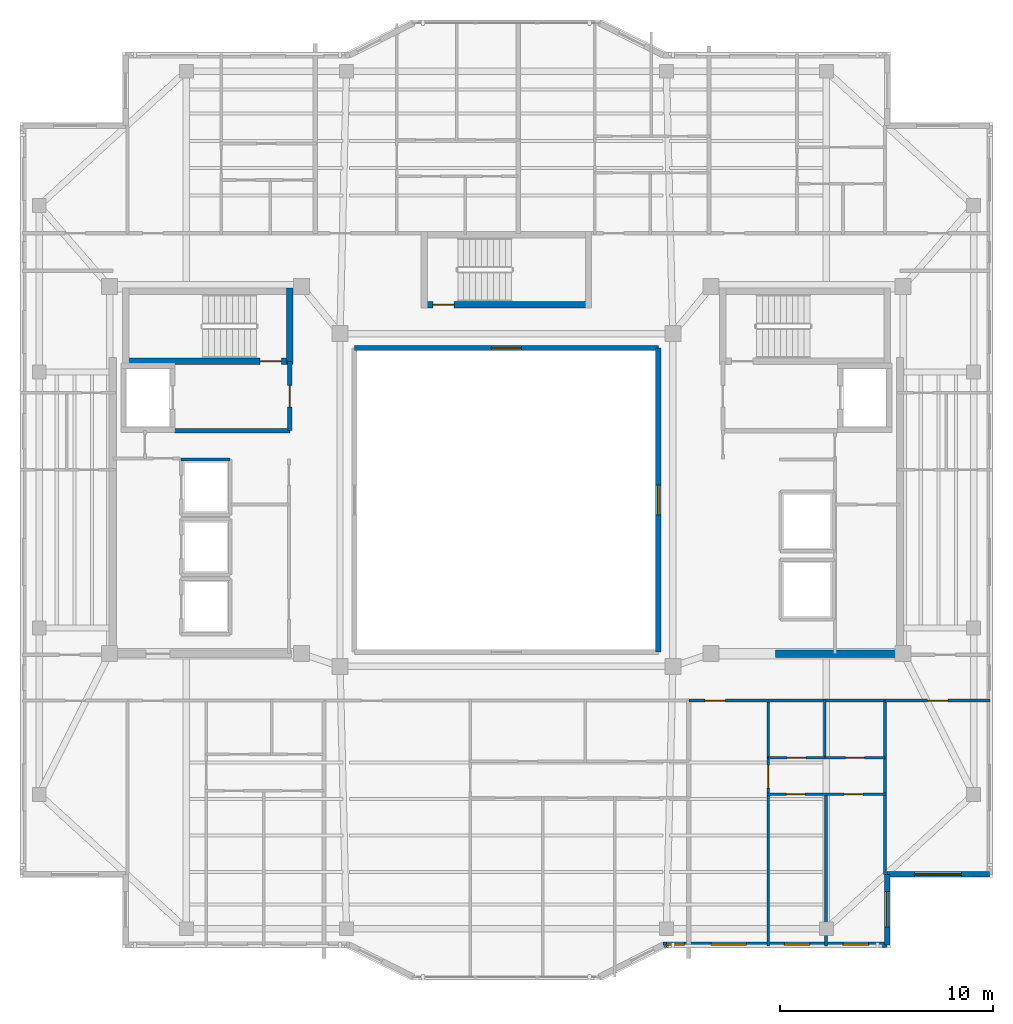
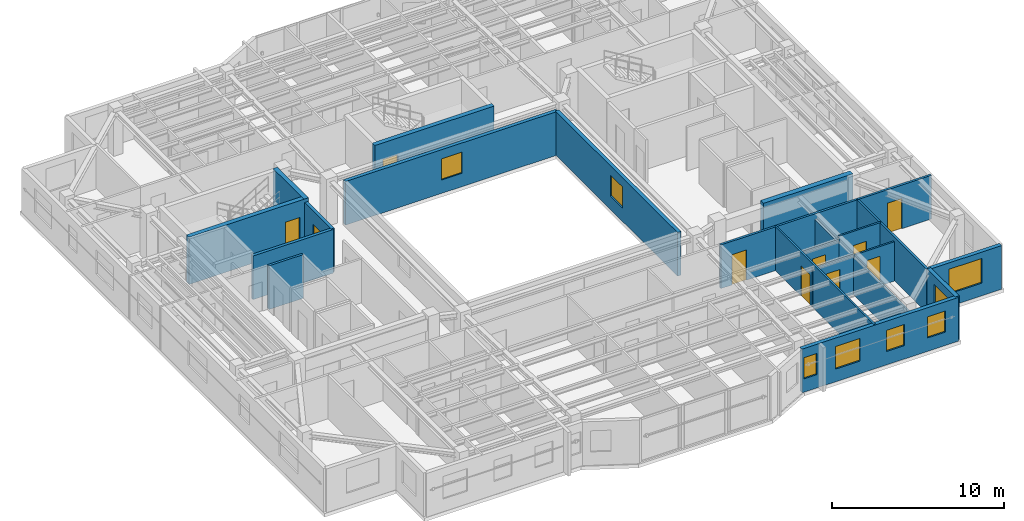
# One storey, part 8 of 15: 21 walls, 10 doors, 8 windows, 18 openings.
"""IFC4 building model written with IfcOpenShell, lengths in metres."""

from ifc_helpers import new_model, si_unit, direction, frame, frame_2d, origin, place, context, subcontext, project, spatial, rectangle, extrude, material, layer, layer_set, type_object, element, fill, save


model = new_model("IFC4")

# Units and contexts
model_context = context("Model", 3, precision=1e-05, world=origin(), true_north=direction((0.0, 1.0)))
body_context = subcontext(model_context, "Body", "Model", "MODEL_VIEW")
ifc_project = project(units=[si_unit("LENGTHUNIT", "METRE"), si_unit("AREAUNIT", "SQUARE_METRE"), si_unit("VOLUMEUNIT", "CUBIC_METRE"), si_unit("PLANEANGLEUNIT", "RADIAN"), si_unit("MASSUNIT", "GRAM", prefix="KILO")], contexts=[model_context])

# Site, building, storey
site_placement = place(None, origin())
site = spatial("IfcSite", under=ifc_project, at=site_placement, CompositionType="ELEMENT")
building_placement = place(site_placement, origin())
building = spatial("IfcBuilding", under=site, at=building_placement, Name="Tarnavaz Court Tower", CompositionType="ELEMENT")
storey_placement = place(building_placement, frame((0.0, 0.0, 244.85009765625)))
storey = spatial("IfcBuildingStorey", under=building, at=storey_placement, Name="L66", CompositionType="ELEMENT", Elevation=244.85009765625)

# Wall, opening, door
ifc_material_1 = material(Name="Concrete C50/60", Category="concrete")
ifc_layer_1 = layer(ifc_material_1, 0.300048828125)
ifc_layer_set_1 = layer_set([ifc_layer_1], Name="Concrete C50/60")
wall_type_1 = type_object("IfcWallType", Name="WL-CORE-300-C50", PredefinedType="SHEAR", material=ifc_layer_set_1)
wall_1_placement = place(storey_placement, frame((-18.0, 6.5, 0.0), z_axis=(0.0, 0.0, 1.0), x_axis=(1.0, 0.0, 0.0)))
wall_1 = element("IfcWall", 1, at=wall_1_placement, inside=storey, type_object=wall_type_1, Name="L66 West Stair Core Wall 002", PredefinedType="SHEAR", context=body_context, shape_type="SweptSolid", body=[
    extrude(rectangle(XDim=8.0, YDim=0.300048828125, at=frame_2d((4.0, 0.0))), origin(), (0.0, 0.0, 1.0), 3.349853515625),
])
opening_1_placement = place(wall_1_placement, frame((6.449951171875, 0.0, 0.0)))
opening_1 = element("IfcOpeningElement", 2, at=opening_1_placement, cuts=wall_1, Name="Opening D01", PredefinedType="OPENING", context=body_context, shape_type="SweptSolid", body=[
    extrude(rectangle(XDim=1.0, YDim=2.14990234375, at=frame_2d((0.5, 1.074951171875))), frame((0.0, 0.159912109375, 0.0), z_axis=(0.0, -1.0, 0.0), x_axis=(1.0, 0.0, 0.0)), (0.0, 0.0, 1.0), 0.320068359375),
])
ifc_material_2 = material(Name="Fire-Rated Hardwood Timber Core", Category="wood")
door_type_1 = type_object("IfcDoorType", Name="DR-FD90-1000", OperationType="NOTDEFINED", PredefinedType="DOOR", material=ifc_material_2)
door_1_placement = place(opening_1_placement, origin())
door_1 = element("IfcDoor", 3, at=door_1_placement, inside=storey, type_object=door_type_1, Name="L66 Stair ST-W1 Exit Door", OperationType="SINGLE_SWING_LEFT", OverallHeight=2.14990234375, OverallWidth=1.0, PredefinedType="DOOR", context=body_context, shape_type="SweptSolid", body=[
    extrude(rectangle(XDim=1.0, YDim=2.14990234375, at=frame_2d((0.5, 1.074951171875))), frame((0.0, 0.02490234375, 0.0), z_axis=(0.0, -1.0, 0.0), x_axis=(1.0, 0.0, 0.0)), (0.0, 0.0, 1.0), 0.050048828125),
])
fill(opening_1, door_1)

# Wall
wall_2_placement = place(storey_placement, frame((-10.14990234375, 6.35009765625, 0.0), z_axis=(0.0, 0.0, 1.0), x_axis=(0.0, 1.0, 0.0)))
element("IfcWall", 4, at=wall_2_placement, inside=storey, type_object=wall_type_1, Name="L66 West Stair Core Wall 004", PredefinedType="SHEAR", context=body_context, shape_type="SweptSolid", body=[
    extrude(rectangle(XDim=3.58984375, YDim=0.300048828125, at=frame_2d((1.794921875, 0.0))), origin(), (0.0, 0.0, 1.0), 3.349853515625),
])

# Wall, opening, door
wall_3_placement = place(storey_placement, frame((-4.0, 9.14990234375, 0.0), z_axis=(0.0, 0.0, 1.0), x_axis=(1.0, 0.0, 0.0)))
wall_3 = element("IfcWall", 5, at=wall_3_placement, inside=storey, type_object=wall_type_1, Name="L66 North Stair Core Wall 010", PredefinedType="SHEAR", context=body_context, shape_type="SweptSolid", body=[
    extrude(rectangle(XDim=8.0, YDim=0.300048828125, at=frame_2d((4.0, 0.0))), origin(), (0.0, 0.0, 1.0), 3.349853515625),
])
opening_2_placement = place(wall_3_placement, frame((0.550048828125, 0.0, 0.0)))
opening_2 = element("IfcOpeningElement", 6, at=opening_2_placement, cuts=wall_3, Name="Opening D01", PredefinedType="OPENING", context=body_context, shape_type="SweptSolid", body=[
    extrude(rectangle(XDim=1.0, YDim=2.14990234375, at=frame_2d((0.5, 1.074951171875))), frame((0.0, 0.159912109375, 0.0), z_axis=(0.0, -1.0, 0.0), x_axis=(1.0, 0.0, 0.0)), (0.0, 0.0, 1.0), 0.320068359375),
])
door_2_placement = place(opening_2_placement, origin())
door_2 = element("IfcDoor", 7, at=door_2_placement, inside=storey, type_object=door_type_1, Name="L66 Stair ST-N1 Exit Door", OperationType="SINGLE_SWING_LEFT", OverallHeight=2.14990234375, OverallWidth=1.0, PredefinedType="DOOR", context=body_context, shape_type="SweptSolid", body=[
    extrude(rectangle(XDim=1.0, YDim=2.14990234375, at=frame_2d((0.5, 1.074951171875))), frame((0.0, 0.02490234375, 0.0), z_axis=(0.0, -1.0, 0.0), x_axis=(1.0, 0.0, 0.0)), (0.0, 0.0, 1.0), 0.050048828125),
])
fill(opening_2, door_2)

# Wall
ifc_layer_2 = layer(ifc_material_1, 0.35009765625)
ifc_layer_set_2 = layer_set([ifc_layer_2], Name="Concrete C50/60")
wall_type_2 = type_object("IfcWallType", Name="WL-CORE-350-C50", PredefinedType="SHEAR", material=ifc_layer_set_2)
wall_4_placement = place(storey_placement, frame((12.625, -7.199951171875, 0.0), z_axis=(0.0, 0.0, 1.0), x_axis=(1.0, 0.0, 0.0)))
element("IfcWall", 8, at=wall_4_placement, inside=storey, type_object=wall_type_2, Name="L66 East Core South Shear Wall 048", PredefinedType="SHEAR", context=body_context, shape_type="SweptSolid", body=[
    extrude(rectangle(XDim=6.0, YDim=0.35009765625, at=frame_2d((3.0, 0.0))), origin(), (0.0, 0.0, 1.0), 3.349853515625),
])

# Wall, opening, window
ifc_material_3 = material(Name="Precast Concrete C40/50", Category="concrete")
ifc_layer_3 = layer(ifc_material_3, 0.260009765625)
ifc_layer_set_3 = layer_set([ifc_layer_3], Name="Precast Concrete C40/50")
wall_type_3 = type_object("IfcWallType", Name="WL-EXT-260", PredefinedType="SOLIDWALL", material=ifc_layer_set_3)
wall_5_placement = place(storey_placement, frame((22.64990234375, -17.550048828125, 0.0), z_axis=(0.0, 0.0, 1.0), x_axis=(-1.0, 0.0, 0.0)))
wall_5 = element("IfcWall", 9, at=wall_5_placement, inside=storey, type_object=wall_type_3, Name="L66 Exterior Terracotta Facade Wall 13", PredefinedType="SOLIDWALL", context=body_context, shape_type="SweptSolid", body=[
    extrude(rectangle(XDim=4.7998046875, YDim=0.260009765625, at=frame_2d((2.39990234375, 0.0))), origin(), (0.0, 0.0, 1.0), 3.099853515625),
])
opening_3_placement = place(wall_5_placement, frame((1.3251953125, 0.0, 0.89990234375)))
opening_3 = element("IfcOpeningElement", 10, at=opening_3_placement, cuts=wall_5, Name="Opening W07", PredefinedType="OPENING", context=body_context, shape_type="SweptSolid", body=[
    extrude(rectangle(XDim=2.199951171875, YDim=1.75, at=frame_2d((1.10009765625, 0.875))), frame((0.0, 0.139892578125, 0.0), z_axis=(0.0, -1.0, 0.0), x_axis=(1.0, 0.0, 0.0)), (0.0, 0.0, 1.0), 0.280029296875),
])
ifc_material_4 = material(Name="Double-Glazed Solar Low-E Glass", Category="glass")
window_type_1 = type_object("IfcWindowType", Name="WN-APT-2200", PartitioningType="TRIPLE_PANEL_VERTICAL", PredefinedType="WINDOW", material=ifc_material_4)
window_1_placement = place(opening_3_placement, origin())
window_1 = element("IfcWindow", 11, at=window_1_placement, inside=storey, type_object=window_type_1, Name="L66 South-East Corner Reading Room Window", OverallHeight=1.75, OverallWidth=2.199951171875, PartitioningType="SINGLE_PANEL", PredefinedType="WINDOW", context=body_context, shape_type="SweptSolid", body=[
    extrude(rectangle(XDim=2.199951171875, YDim=1.75, at=frame_2d((1.10009765625, 0.875))), frame((0.0, 0.030029296875, 0.0), z_axis=(0.0, -1.0, 0.0), x_axis=(1.0, 0.0, 0.0)), (0.0, 0.0, 1.0), 0.06005859375),
])
fill(opening_3, window_1)

wall_6_placement = place(storey_placement, frame((17.85009765625, -17.550048828125, 0.0), z_axis=(0.0, 0.0, 1.0), x_axis=(0.0, -1.0, 0.0)))
wall_6 = element("IfcWall", 12, at=wall_6_placement, inside=storey, type_object=wall_type_3, Name="L66 Exterior Terracotta Facade Wall 14", PredefinedType="SOLIDWALL", context=body_context, shape_type="SweptSolid", body=[
    extrude(rectangle(XDim=3.300048828125, YDim=0.260009765625, at=frame_2d((1.64990234375, 0.0))), origin(), (0.0, 0.0, 1.0), 3.099853515625),
])
opening_4_placement = place(wall_6_placement, frame((0.8076171875, 0.0, 0.89990234375)))
opening_4 = element("IfcOpeningElement", 13, at=opening_4_placement, cuts=wall_6, Name="Opening W02", PredefinedType="OPENING", context=body_context, shape_type="SweptSolid", body=[
    extrude(rectangle(XDim=1.64990234375, YDim=1.60009765625, at=frame_2d((0.824951171875, 0.800048828125))), frame((0.0, 0.139892578125, 0.0), z_axis=(0.0, -1.0, 0.0), x_axis=(1.0, 0.0, 0.0)), (0.0, 0.0, 1.0), 0.280029296875),
])
window_type_2 = type_object("IfcWindowType", Name="WN-APT-1650", PartitioningType="DOUBLE_PANEL_VERTICAL", PredefinedType="WINDOW", material=ifc_material_4)
window_2_placement = place(opening_4_placement, origin())
window_2 = element("IfcWindow", 14, at=window_2_placement, inside=storey, type_object=window_type_2, Name="L66 Flat 06 Bedroom 2 Window", OverallHeight=1.60009765625, OverallWidth=1.64990234375, PartitioningType="SINGLE_PANEL", PredefinedType="WINDOW", context=body_context, shape_type="SweptSolid", body=[
    extrude(rectangle(XDim=1.64990234375, YDim=1.60009765625, at=frame_2d((0.824951171875, 0.800048828125))), frame((0.0, 0.030029296875, 0.0), z_axis=(0.0, -1.0, 0.0), x_axis=(1.0, 0.0, 0.0)), (0.0, 0.0, 1.0), 0.06005859375),
])
fill(opening_4, window_2)

# Wall, openings, windows
wall_7_placement = place(storey_placement, frame((17.85009765625, -20.85009765625, 0.0), z_axis=(0.0, 0.0, 1.0), x_axis=(-1.0, 0.0, 0.0)))
wall_7 = element("IfcWall", 15, at=wall_7_placement, inside=storey, type_object=wall_type_3, Name="L66 Exterior Terracotta Facade Wall 15", PredefinedType="SOLIDWALL", context=body_context, shape_type="SweptSolid", body=[
    extrude(rectangle(XDim=10.5, YDim=0.260009765625, at=frame_2d((5.25, 0.0))), origin(), (0.0, 0.0, 1.0), 3.099853515625),
])
opening_5_placement = place(wall_7_placement, frame((0.875, 0.0, 0.949951171875)))
opening_5 = element("IfcOpeningElement", 16, at=opening_5_placement, cuts=wall_7, Name="Opening W05", PredefinedType="OPENING", context=body_context, shape_type="SweptSolid", body=[
    extrude(rectangle(XDim=1.199951171875, YDim=1.5, at=frame_2d((0.60009765625, 0.75))), frame((0.0, 0.139892578125, 0.0), z_axis=(0.0, -1.0, 0.0), x_axis=(1.0, 0.0, 0.0)), (0.0, 0.0, 1.0), 0.280029296875),
])
opening_6_placement = place(wall_7_placement, frame((3.625, 0.0, 0.949951171875)))
opening_6 = element("IfcOpeningElement", 17, at=opening_6_placement, cuts=wall_7, Name="Opening W05", PredefinedType="OPENING", context=body_context, shape_type="SweptSolid", body=[
    extrude(rectangle(XDim=1.199951171875, YDim=1.5, at=frame_2d((0.60009765625, 0.75))), frame((0.0, 0.139892578125, 0.0), z_axis=(0.0, -1.0, 0.0), x_axis=(1.0, 0.0, 0.0)), (0.0, 0.0, 1.0), 0.280029296875),
])
opening_7_placement = place(wall_7_placement, frame((6.60009765625, 0.0, 0.89990234375)))
opening_7 = element("IfcOpeningElement", 18, at=opening_7_placement, cuts=wall_7, Name="Opening W02", PredefinedType="OPENING", context=body_context, shape_type="SweptSolid", body=[
    extrude(rectangle(XDim=1.64990234375, YDim=1.60009765625, at=frame_2d((0.824951171875, 0.800048828125))), frame((0.0, 0.139892578125, 0.0), z_axis=(0.0, -1.0, 0.0), x_axis=(1.0, 0.0, 0.0)), (0.0, 0.0, 1.0), 0.280029296875),
])
opening_8_placement = place(wall_7_placement, frame((9.5048828125, 0.0, 0.949951171875)))
opening_8 = element("IfcOpeningElement", 19, at=opening_8_placement, cuts=wall_7, Name="Opening W15", PredefinedType="OPENING", context=body_context, shape_type="SweptSolid", body=[
    extrude(rectangle(XDim=0.85009765625, YDim=1.5, at=frame_2d((0.425048828125, 0.75))), frame((0.0, 0.139892578125, 0.0), z_axis=(0.0, -1.0, 0.0), x_axis=(1.0, 0.0, 0.0)), (0.0, 0.0, 1.0), 0.280029296875),
])
window_type_3 = type_object("IfcWindowType", Name="WN-APT-1200", PartitioningType="SINGLE_PANEL", PredefinedType="WINDOW", material=ifc_material_4)
window_3_placement = place(opening_5_placement, origin())
window_3 = element("IfcWindow", 20, at=window_3_placement, inside=storey, type_object=window_type_3, Name="L66 Flat 06 Bedroom 2 Window", OverallHeight=1.5, OverallWidth=1.199951171875, PartitioningType="SINGLE_PANEL", PredefinedType="WINDOW", context=body_context, shape_type="SweptSolid", body=[
    extrude(rectangle(XDim=1.199951171875, YDim=1.5, at=frame_2d((0.60009765625, 0.75))), frame((0.0, 0.030029296875, 0.0), z_axis=(0.0, -1.0, 0.0), x_axis=(1.0, 0.0, 0.0)), (0.0, 0.0, 1.0), 0.06005859375),
])
fill(opening_5, window_3)
window_4_placement = place(opening_6_placement, origin())
window_4 = element("IfcWindow", 21, at=window_4_placement, inside=storey, type_object=window_type_3, Name="L66 Flat 06 Principal Bedroom Window", OverallHeight=1.5, OverallWidth=1.199951171875, PartitioningType="SINGLE_PANEL", PredefinedType="WINDOW", context=body_context, shape_type="SweptSolid", body=[
    extrude(rectangle(XDim=1.199951171875, YDim=1.5, at=frame_2d((0.60009765625, 0.75))), frame((0.0, 0.030029296875, 0.0), z_axis=(0.0, -1.0, 0.0), x_axis=(1.0, 0.0, 0.0)), (0.0, 0.0, 1.0), 0.06005859375),
])
fill(opening_6, window_4)
window_5_placement = place(opening_7_placement, origin())
window_5 = element("IfcWindow", 22, at=window_5_placement, inside=storey, type_object=window_type_2, Name="L66 Flat 06 Living and Dining Room Window", OverallHeight=1.60009765625, OverallWidth=1.64990234375, PartitioningType="SINGLE_PANEL", PredefinedType="WINDOW", context=body_context, shape_type="SweptSolid", body=[
    extrude(rectangle(XDim=1.64990234375, YDim=1.60009765625, at=frame_2d((0.824951171875, 0.800048828125))), frame((0.0, 0.030029296875, 0.0), z_axis=(0.0, -1.0, 0.0), x_axis=(1.0, 0.0, 0.0)), (0.0, 0.0, 1.0), 0.06005859375),
])
fill(opening_7, window_5)
window_type_4 = type_object("IfcWindowType", Name="WN-APT-850", PartitioningType="SINGLE_PANEL", PredefinedType="WINDOW", material=ifc_material_4)
window_6_placement = place(opening_8_placement, origin())
window_6 = element("IfcWindow", 23, at=window_6_placement, inside=storey, type_object=window_type_4, Name="L66 Flat 07 Bedroom 3 Window", OverallHeight=1.5, OverallWidth=0.85009765625, PartitioningType="SINGLE_PANEL", PredefinedType="WINDOW", context=body_context, shape_type="SweptSolid", body=[
    extrude(rectangle(XDim=0.85009765625, YDim=1.5, at=frame_2d((0.425048828125, 0.75))), frame((0.0, 0.030029296875, 0.0), z_axis=(0.0, -1.0, 0.0), x_axis=(1.0, 0.0, 0.0)), (0.0, 0.0, 1.0), 0.06005859375),
])
fill(opening_8, window_6)

# Wall, opening, door
ifc_material_5 = material(Name="Gypsum Fire-Board on Acoustic Metal Stud", Category="masonry")
ifc_layer_4 = layer(ifc_material_5, 0.14990234375)
ifc_layer_set_4 = layer_set([ifc_layer_4], Name="Gypsum Fire-Board on Acoustic Metal Stud")
wall_type_4 = type_object("IfcWallType", Name="WL-FIRE-150", PredefinedType="PARTITIONING", material=ifc_layer_set_4)
wall_8_placement = place(storey_placement, frame((8.550048828125, -9.39990234375, 0.0), z_axis=(0.0, 0.0, 1.0), x_axis=(1.0, 0.0, 0.0)))
wall_8 = element("IfcWall", 24, at=wall_8_placement, inside=storey, type_object=wall_type_4, Name="L66 SE Lobby Wall 060", PredefinedType="PARTITIONING", context=body_context, shape_type="SweptSolid", body=[
    extrude(rectangle(XDim=9.199951171875, YDim=0.14990234375, at=frame_2d((4.60009765625, 0.0))), origin(), (0.0, 0.0, 1.0), 3.099853515625),
])
opening_9_placement = place(wall_8_placement, frame((0.75, 0.0, 0.0)))
opening_9 = element("IfcOpeningElement", 25, at=opening_9_placement, cuts=wall_8, Name="Opening D06", PredefinedType="OPENING", context=body_context, shape_type="SweptSolid", body=[
    extrude(rectangle(XDim=0.9599609375, YDim=2.14990234375, at=frame_2d((0.47998046875, 1.074951171875))), frame((0.0, 0.0849609375, 0.0), z_axis=(0.0, -1.0, 0.0), x_axis=(1.0, 0.0, 0.0)), (0.0, 0.0, 1.0), 0.169921875),
])
door_type_2 = type_object("IfcDoorType", Name="DR-FD60-950", OperationType="NOTDEFINED", PredefinedType="DOOR", material=ifc_material_2)
door_3_placement = place(opening_9_placement, origin())
door_3 = element("IfcDoor", 26, at=door_3_placement, inside=storey, type_object=door_type_2, Name="L66 Flat 06 Entrance Door", OperationType="SINGLE_SWING_LEFT", OverallHeight=2.14990234375, OverallWidth=0.9599609375, PredefinedType="DOOR", context=body_context, shape_type="SweptSolid", body=[
    extrude(rectangle(XDim=0.9599609375, YDim=2.14990234375, at=frame_2d((0.47998046875, 1.074951171875))), frame((0.0, 0.02490234375, 0.0), z_axis=(0.0, -1.0, 0.0), x_axis=(1.0, 0.0, 0.0)), (0.0, 0.0, 1.0), 0.050048828125),
])
fill(opening_9, door_3)

wall_9_placement = place(storey_placement, frame((17.75, -9.39990234375, 0.0), z_axis=(0.0, 0.0, 1.0), x_axis=(1.0, 0.0, 0.0)))
wall_9 = element("IfcWall", 27, at=wall_9_placement, inside=storey, type_object=wall_type_4, Name="L66 Interior Partition 119", PredefinedType="PARTITIONING", context=body_context, shape_type="SweptSolid", body=[
    extrude(rectangle(XDim=4.929931640625, YDim=0.14990234375, at=frame_2d((2.46484375, 0.0))), origin(), (0.0, 0.0, 1.0), 3.099853515625),
])
opening_10_placement = place(wall_9_placement, frame((1.989990234375, 0.0, 0.0)))
opening_10 = element("IfcOpeningElement", 28, at=opening_10_placement, cuts=wall_9, Name="Opening D13", PredefinedType="OPENING", context=body_context, shape_type="SweptSolid", body=[
    extrude(rectangle(XDim=0.949951171875, YDim=2.14990234375, at=frame_2d((0.47509765625, 1.074951171875))), frame((0.0, 0.0849609375, 0.0), z_axis=(0.0, -1.0, 0.0), x_axis=(1.0, 0.0, 0.0)), (0.0, 0.0, 1.0), 0.169921875),
])
ifc_material_6 = material(Name="Engineered Oak Timber", Category="wood")
door_type_3 = type_object("IfcDoorType", Name="DR-INT-950", OperationType="NOTDEFINED", PredefinedType="DOOR", material=ifc_material_6)
door_4_placement = place(opening_10_placement, origin())
door_4 = element("IfcDoor", 29, at=door_4_placement, inside=storey, type_object=door_type_3, Name="L66 SE Reading Room Door", OperationType="SINGLE_SWING_LEFT", OverallHeight=2.14990234375, OverallWidth=0.949951171875, PredefinedType="DOOR", context=body_context, shape_type="SweptSolid", body=[
    extrude(rectangle(XDim=0.949951171875, YDim=2.14990234375, at=frame_2d((0.47509765625, 1.074951171875))), frame((0.0, 0.02490234375, 0.0), z_axis=(0.0, -1.0, 0.0), x_axis=(1.0, 0.0, 0.0)), (0.0, 0.0, 1.0), 0.050048828125),
])
fill(opening_10, door_4)

# Wall
ifc_material_7 = material(Name="Autoclaved Aerated Concrete Blockwork", Category="masonry")
ifc_layer_5 = layer(ifc_material_7, 0.199951171875)
ifc_layer_set_5 = layer_set([ifc_layer_5], Name="Autoclaved Aerated Concrete Blockwork")
wall_type_5 = type_object("IfcWallType", Name="WL-FIRE-200", PredefinedType="SOLIDWALL", material=ifc_layer_set_5)
wall_10_placement = place(storey_placement, frame((-15.550048828125, 3.25, 0.0), z_axis=(0.0, 0.0, 1.0), x_axis=(1.0, 0.0, 0.0)))
element("IfcWall", 30, at=wall_10_placement, inside=storey, type_object=wall_type_5, Name="L66 West Firefighting Lobby Wall 013", PredefinedType="SOLIDWALL", context=body_context, shape_type="SweptSolid", body=[
    extrude(rectangle(XDim=5.400146484375, YDim=0.199951171875, at=frame_2d((2.7001953125, 0.0))), origin(), (0.0, 0.0, 1.0), 3.099853515625),
])

# Wall, opening, door
wall_11_placement = place(storey_placement, frame((-10.14990234375, 3.25, 0.0), z_axis=(0.0, 0.0, 1.0), x_axis=(0.0, 1.0, 0.0)))
wall_11 = element("IfcWall", 31, at=wall_11_placement, inside=storey, type_object=wall_type_5, Name="L66 West Firefighting Lobby Wall 014", PredefinedType="SOLIDWALL", context=body_context, shape_type="SweptSolid", body=[
    extrude(rectangle(XDim=3.25, YDim=0.199951171875, at=frame_2d((1.625, 0.0))), origin(), (0.0, 0.0, 1.0), 3.099853515625),
])
opening_11_placement = place(wall_11_placement, frame((1.10009765625, 0.0, 0.0)))
opening_11 = element("IfcOpeningElement", 32, at=opening_11_placement, cuts=wall_11, Name="Opening D05", PredefinedType="OPENING", context=body_context, shape_type="SweptSolid", body=[
    extrude(rectangle(XDim=1.02001953125, YDim=2.14990234375, at=frame_2d((0.510009765625, 1.074951171875))), frame((0.0, 0.10986328125, 0.0), z_axis=(0.0, -1.0, 0.0), x_axis=(1.0, 0.0, 0.0)), (0.0, 0.0, 1.0), 0.219970703125),
])
door_type_4 = type_object("IfcDoorType", Name="DR-FD60-1000", OperationType="NOTDEFINED", PredefinedType="DOOR", material=ifc_material_2)
door_5_placement = place(opening_11_placement, origin())
door_5 = element("IfcDoor", 33, at=door_5_placement, inside=storey, type_object=door_type_4, Name="L66 West Firefighting Lobby Door", OperationType="SINGLE_SWING_RIGHT", OverallHeight=2.14990234375, OverallWidth=1.02001953125, PredefinedType="DOOR", context=body_context, shape_type="SweptSolid", body=[
    extrude(rectangle(XDim=1.02001953125, YDim=2.14990234375, at=frame_2d((0.510009765625, 1.074951171875))), frame((0.0, 0.02490234375, 0.0), z_axis=(0.0, -1.0, 0.0), x_axis=(1.0, 0.0, 0.0)), (0.0, 0.0, 1.0), 0.050048828125),
])
fill(opening_11, door_5)

ifc_material_8 = material(Name="Moisture-Resistant Gypsum Board Partition", Category="masonry")
ifc_layer_6 = layer(ifc_material_8, 0.1201171875)
ifc_layer_set_6 = layer_set([ifc_layer_6], Name="Moisture-Resistant Gypsum Board Partition")
wall_type_6 = type_object("IfcWallType", Name="WL-PART-120", PredefinedType="PARTITIONING", material=ifc_layer_set_6)
wall_12_placement = place(storey_placement, frame((12.27197265625, -20.89990234375, 0.0), z_axis=(0.0, 0.0, 1.0), x_axis=(0.0, 1.0, 0.0)))
wall_12 = element("IfcWall", 34, at=wall_12_placement, inside=storey, type_object=wall_type_6, Name="L66 Interior Partition 092", PredefinedType="PARTITIONING", context=body_context, shape_type="SweptSolid", body=[
    extrude(rectangle(XDim=11.559814453125, YDim=0.1201171875, at=frame_2d((5.77978515625, 0.0))), origin(), (0.0, 0.0, 1.0), 3.099853515625),
])
opening_12_placement = place(wall_12_placement, frame((7.39501953125, 0.0, 0.0)))
opening_12 = element("IfcOpeningElement", 35, at=opening_12_placement, cuts=wall_12, Name="Opening D12", PredefinedType="OPENING", context=body_context, shape_type="SweptSolid", body=[
    extrude(rectangle(XDim=1.080078125, YDim=2.14990234375, at=frame_2d((0.5400390625, 1.074951171875))), frame((0.0, 0.070068359375, 0.0), z_axis=(0.0, -1.0, 0.0), x_axis=(1.0, 0.0, 0.0)), (0.0, 0.0, 1.0), 0.14013671875),
])
door_type_5 = type_object("IfcDoorType", Name="DR-INT-1100", OperationType="NOTDEFINED", PredefinedType="DOOR", material=ifc_material_6)
door_6_placement = place(opening_12_placement, origin())
door_6 = element("IfcDoor", 36, at=door_6_placement, inside=storey, type_object=door_type_5, Name="L66 Flat 06 Foyer Door", OperationType="SINGLE_SWING_RIGHT", OverallHeight=2.14990234375, OverallWidth=1.080078125, PredefinedType="DOOR", context=body_context, shape_type="SweptSolid", body=[
    extrude(rectangle(XDim=1.080078125, YDim=2.14990234375, at=frame_2d((0.5400390625, 1.074951171875))), frame((0.0, 0.02490234375, 0.0), z_axis=(0.0, -1.0, 0.0), x_axis=(1.0, 0.0, 0.0)), (0.0, 0.0, 1.0), 0.050048828125),
])
fill(opening_12, door_6)

wall_13_placement = place(storey_placement, frame((12.27197265625, -12.080078125, 0.0), z_axis=(0.0, 0.0, 1.0), x_axis=(1.0, 0.0, 0.0)))
wall_13 = element("IfcWall", 37, at=wall_13_placement, inside=storey, type_object=wall_type_6, Name="L66 Interior Partition 093", PredefinedType="PARTITIONING", context=body_context, shape_type="SweptSolid", body=[
    extrude(rectangle(XDim=2.655029296875, YDim=0.1201171875, at=frame_2d((1.32763671875, 0.0))), origin(), (0.0, 0.0, 1.0), 2.784912109375),
])
opening_13_placement = place(wall_13_placement, frame((0.886962890625, 0.0, 0.0)))
opening_13 = element("IfcOpeningElement", 38, at=opening_13_placement, cuts=wall_13, Name="Opening D14", PredefinedType="OPENING", context=body_context, shape_type="SweptSolid", body=[
    extrude(rectangle(XDim=0.8798828125, YDim=2.10009765625, at=frame_2d((0.43994140625, 1.050048828125))), frame((0.0, 0.070068359375, 0.0), z_axis=(0.0, -1.0, 0.0), x_axis=(1.0, 0.0, 0.0)), (0.0, 0.0, 1.0), 0.14013671875),
])
door_type_6 = type_object("IfcDoorType", Name="DR-INT-900", OperationType="NOTDEFINED", PredefinedType="DOOR", material=ifc_material_6)
door_7_placement = place(opening_13_placement, origin())
door_7 = element("IfcDoor", 39, at=door_7_placement, inside=storey, type_object=door_type_6, Name="L66 Flat 06 Kitchen Door", OperationType="SINGLE_SWING_LEFT", OverallHeight=2.10009765625, OverallWidth=0.8798828125, PredefinedType="DOOR", context=body_context, shape_type="SweptSolid", body=[
    extrude(rectangle(XDim=0.8798828125, YDim=2.10009765625, at=frame_2d((0.43994140625, 1.050048828125))), frame((0.0, 0.02490234375, 0.0), z_axis=(0.0, -1.0, 0.0), x_axis=(1.0, 0.0, 0.0)), (0.0, 0.0, 1.0), 0.050048828125),
])
fill(opening_13, door_7)

wall_14_placement = place(storey_placement, frame((14.927001953125, -12.080078125, 0.0), z_axis=(0.0, 0.0, 1.0), x_axis=(1.0, 0.0, 0.0)))
wall_14 = element("IfcWall", 40, at=wall_14_placement, inside=storey, type_object=wall_type_6, Name="L66 Interior Partition 094", PredefinedType="PARTITIONING", context=body_context, shape_type="SweptSolid", body=[
    extrude(rectangle(XDim=2.822998046875, YDim=0.1201171875, at=frame_2d((1.41162109375, 0.0))), origin(), (0.0, 0.0, 1.0), 3.099853515625),
])
opening_14_placement = place(wall_14_placement, frame((0.971923828125, 0.0, 0.0)))
opening_14 = element("IfcOpeningElement", 41, at=opening_14_placement, cuts=wall_14, Name="Opening D14", PredefinedType="OPENING", context=body_context, shape_type="SweptSolid", body=[
    extrude(rectangle(XDim=0.8798828125, YDim=2.10009765625, at=frame_2d((0.43994140625, 1.050048828125))), frame((0.0, 0.070068359375, 0.0), z_axis=(0.0, -1.0, 0.0), x_axis=(1.0, 0.0, 0.0)), (0.0, 0.0, 1.0), 0.14013671875),
])
door_8_placement = place(opening_14_placement, origin())
door_8 = element("IfcDoor", 42, at=door_8_placement, inside=storey, type_object=door_type_6, Name="L66 Flat 06 Bathroom Door", OperationType="SINGLE_SWING_RIGHT", OverallHeight=2.10009765625, OverallWidth=0.8798828125, PredefinedType="DOOR", context=body_context, shape_type="SweptSolid", body=[
    extrude(rectangle(XDim=0.8798828125, YDim=2.10009765625, at=frame_2d((0.43994140625, 1.050048828125))), frame((0.0, 0.02490234375, 0.0), z_axis=(0.0, -1.0, 0.0), x_axis=(1.0, 0.0, 0.0)), (0.0, 0.0, 1.0), 0.050048828125),
])
fill(opening_14, door_8)

# Wall, openings, doors
wall_15_placement = place(storey_placement, frame((12.2119140625, -13.7900390625, 0.0), z_axis=(0.0, 0.0, 1.0), x_axis=(1.0, 0.0, 0.0)))
wall_15 = element("IfcWall", 43, at=wall_15_placement, inside=storey, type_object=wall_type_6, Name="L66 Interior Partition 095", PredefinedType="PARTITIONING", context=body_context, shape_type="SweptSolid", body=[
    extrude(rectangle(XDim=5.59814453125, YDim=0.1201171875, at=frame_2d((2.799072265625, 0.0))), origin(), (0.0, 0.0, 1.0), 2.784912109375),
])
opening_15_placement = place(wall_15_placement, frame((0.9150390625, 0.0, 0.0)))
opening_15 = element("IfcOpeningElement", 44, at=opening_15_placement, cuts=wall_15, Name="Opening D14", PredefinedType="OPENING", context=body_context, shape_type="SweptSolid", body=[
    extrude(rectangle(XDim=0.8798828125, YDim=2.10009765625, at=frame_2d((0.43994140625, 1.050048828125))), frame((0.0, 0.070068359375, 0.0), z_axis=(0.0, -1.0, 0.0), x_axis=(1.0, 0.0, 0.0)), (0.0, 0.0, 1.0), 0.14013671875),
])
opening_16_placement = place(wall_15_placement, frame((3.6240234375, 0.0, 0.0)))
opening_16 = element("IfcOpeningElement", 45, at=opening_16_placement, cuts=wall_15, Name="Opening D14", PredefinedType="OPENING", context=body_context, shape_type="SweptSolid", body=[
    extrude(rectangle(XDim=0.8798828125, YDim=2.10009765625, at=frame_2d((0.43994140625, 1.050048828125))), frame((0.0, 0.070068359375, 0.0), z_axis=(0.0, -1.0, 0.0), x_axis=(1.0, 0.0, 0.0)), (0.0, 0.0, 1.0), 0.14013671875),
])
door_9_placement = place(opening_15_placement, origin())
door_9 = element("IfcDoor", 46, at=door_9_placement, inside=storey, type_object=door_type_6, Name="L66 Flat 06 Bedroom 1 Door", OperationType="SINGLE_SWING_LEFT", OverallHeight=2.10009765625, OverallWidth=0.8798828125, PredefinedType="DOOR", context=body_context, shape_type="SweptSolid", body=[
    extrude(rectangle(XDim=0.8798828125, YDim=2.10009765625, at=frame_2d((0.43994140625, 1.050048828125))), frame((0.0, 0.02490234375, 0.0), z_axis=(0.0, -1.0, 0.0), x_axis=(1.0, 0.0, 0.0)), (0.0, 0.0, 1.0), 0.050048828125),
])
fill(opening_15, door_9)
door_10_placement = place(opening_16_placement, origin())
door_10 = element("IfcDoor", 47, at=door_10_placement, inside=storey, type_object=door_type_6, Name="L66 Flat 06 Bedroom 2 Door", OperationType="SINGLE_SWING_RIGHT", OverallHeight=2.10009765625, OverallWidth=0.8798828125, PredefinedType="DOOR", context=body_context, shape_type="SweptSolid", body=[
    extrude(rectangle(XDim=0.8798828125, YDim=2.10009765625, at=frame_2d((0.43994140625, 1.050048828125))), frame((0.0, 0.02490234375, 0.0), z_axis=(0.0, -1.0, 0.0), x_axis=(1.0, 0.0, 0.0)), (0.0, 0.0, 1.0), 0.050048828125),
])
fill(opening_16, door_10)

# Walls
wall_16_placement = place(storey_placement, frame((14.927001953125, -12.139892578125, 0.0), z_axis=(0.0, 0.0, 1.0), x_axis=(0.0, 1.0, 0.0)))
element("IfcWall", 48, at=wall_16_placement, inside=storey, type_object=wall_type_6, Name="L66 Interior Partition 096", PredefinedType="PARTITIONING", context=body_context, shape_type="SweptSolid", body=[
    extrude(rectangle(XDim=2.7998046875, YDim=0.1201171875, at=frame_2d((1.39990234375, 0.0))), origin(), (0.0, 0.0, 1.0), 2.684814453125),
])
wall_17_placement = place(storey_placement, frame((14.98095703125, -20.89990234375, 0.0), z_axis=(0.0, 0.0, 1.0), x_axis=(0.0, 1.0, 0.0)))
element("IfcWall", 49, at=wall_17_placement, inside=storey, type_object=wall_type_6, Name="L66 Interior Partition 097", PredefinedType="PARTITIONING", context=body_context, shape_type="SweptSolid", body=[
    extrude(rectangle(XDim=7.169921875, YDim=0.1201171875, at=frame_2d((3.5849609375, 0.0))), origin(), (0.0, 0.0, 1.0), 2.684814453125),
])
ifc_material_9 = material(Name="Gypsum Plasterboard Acoustic Partition", Category="masonry")
ifc_layer_7 = layer(ifc_material_9, 0.139892578125)
ifc_layer_set_7 = layer_set([ifc_layer_7], Name="Gypsum Plasterboard Acoustic Partition")
wall_type_7 = type_object("IfcWallType", Name="WL-PART-150", PredefinedType="PARTITIONING", material=ifc_layer_set_7)
wall_18_placement = place(storey_placement, frame((17.75, -17.550048828125, 0.0), z_axis=(0.0, 0.0, 1.0), x_axis=(0.0, 1.0, 0.0)))
element("IfcWall", 50, at=wall_18_placement, inside=storey, type_object=wall_type_7, Name="L66 Interior Partition 113", PredefinedType="PARTITIONING", context=body_context, shape_type="SweptSolid", body=[
    extrude(rectangle(XDim=8.150146484375, YDim=0.139892578125, at=frame_2d((4.0751953125, 0.0))), origin(), (0.0, 0.0, 1.0), 3.099853515625),
])
ifc_layer_8 = layer(ifc_material_7, 0.159912109375)
ifc_layer_set_8 = layer_set([ifc_layer_8], Name="Autoclaved Aerated Concrete Blockwork")
wall_type_8 = type_object("IfcWallType", Name="WL-SHAFT-150", PredefinedType="SOLIDWALL", material=ifc_layer_set_8)
wall_19_placement = place(storey_placement, frame((-15.25, 1.89990234375, 0.0), z_axis=(0.0, 0.0, 1.0), x_axis=(1.0, 0.0, 0.0)))
element("IfcWall", 51, at=wall_19_placement, inside=storey, type_object=wall_type_8, Name="L66 Lift PL-H3 Shaft Wall 032", PredefinedType="SOLIDWALL", context=body_context, shape_type="SweptSolid", body=[
    extrude(rectangle(XDim=2.300048828125, YDim=0.159912109375, at=frame_2d((1.14990234375, 0.0))), origin(), (0.0, 0.0, 1.0), 3.099853515625),
])

# Wall, opening, window
ifc_layer_9 = layer(ifc_material_3, 0.239990234375)
ifc_layer_set_9 = layer_set([ifc_layer_9], Name="Precast Concrete C40/50")
wall_type_9 = type_object("IfcWallType", Name="WL-WELL-240", PredefinedType="SOLIDWALL", material=ifc_layer_set_9)
wall_20_placement = place(storey_placement, frame((7.1201171875, -7.1201171875, 0.0), z_axis=(0.0, 0.0, 1.0), x_axis=(0.0, 1.0, 0.0)))
wall_20 = element("IfcWall", 52, at=wall_20_placement, inside=storey, type_object=wall_type_9, Name="L66 Badgir Light-Well Exterior Wall E", PredefinedType="SOLIDWALL", context=body_context, shape_type="SweptSolid", body=[
    extrude(rectangle(XDim=14.240234375, YDim=0.239990234375, at=frame_2d((7.1201171875, 0.0))), origin(), (0.0, 0.0, 1.0), 3.099853515625),
])
opening_17_placement = place(wall_20_placement, frame((6.419921875, 0.0, 0.949951171875)))
opening_17 = element("IfcOpeningElement", 53, at=opening_17_placement, cuts=wall_20, Name="Opening W13", PredefinedType="OPENING", context=body_context, shape_type="SweptSolid", body=[
    extrude(rectangle(XDim=1.39990234375, YDim=1.5, at=frame_2d((0.699951171875, 0.75))), frame((0.0, 0.1298828125, 0.0), z_axis=(0.0, -1.0, 0.0), x_axis=(1.0, 0.0, 0.0)), (0.0, 0.0, 1.0), 0.260009765625),
])
window_type_5 = type_object("IfcWindowType", Name="WN-WEL-1400", PartitioningType="SINGLE_PANEL", PredefinedType="WINDOW", material=ifc_material_4)
window_7_placement = place(opening_17_placement, origin())
window_7 = element("IfcWindow", 54, at=window_7_placement, inside=storey, type_object=window_type_5, Name="L66 Courtyard Gallery Window E", OverallHeight=1.5, OverallWidth=1.39990234375, PartitioningType="SINGLE_PANEL", PredefinedType="WINDOW", context=body_context, shape_type="SweptSolid", body=[
    extrude(rectangle(XDim=1.39990234375, YDim=1.5, at=frame_2d((0.699951171875, 0.75))), frame((0.0, 0.030029296875, 0.0), z_axis=(0.0, -1.0, 0.0), x_axis=(1.0, 0.0, 0.0)), (0.0, 0.0, 1.0), 0.06005859375),
])
fill(opening_17, window_7)

wall_21_placement = place(storey_placement, frame((7.1201171875, 7.1201171875, 0.0), z_axis=(0.0, 0.0, 1.0), x_axis=(-1.0, 0.0, 0.0)))
wall_21 = element("IfcWall", 55, at=wall_21_placement, inside=storey, type_object=wall_type_9, Name="L66 Badgir Light-Well Exterior Wall N", PredefinedType="SOLIDWALL", context=body_context, shape_type="SweptSolid", body=[
    extrude(rectangle(XDim=14.240234375, YDim=0.239990234375, at=frame_2d((7.1201171875, 0.0))), origin(), (0.0, 0.0, 1.0), 3.099853515625),
])
opening_18_placement = place(wall_21_placement, frame((6.419921875, 0.0, 0.949951171875)))
opening_18 = element("IfcOpeningElement", 56, at=opening_18_placement, cuts=wall_21, Name="Opening W13", PredefinedType="OPENING", context=body_context, shape_type="SweptSolid", body=[
    extrude(rectangle(XDim=1.39990234375, YDim=1.5, at=frame_2d((0.699951171875, 0.75))), frame((0.0, 0.1298828125, 0.0), z_axis=(0.0, -1.0, 0.0), x_axis=(1.0, 0.0, 0.0)), (0.0, 0.0, 1.0), 0.260009765625),
])
window_8_placement = place(opening_18_placement, origin())
window_8 = element("IfcWindow", 57, at=window_8_placement, inside=storey, type_object=window_type_5, Name="L66 Courtyard Gallery Window N", OverallHeight=1.5, OverallWidth=1.39990234375, PartitioningType="SINGLE_PANEL", PredefinedType="WINDOW", context=body_context, shape_type="SweptSolid", body=[
    extrude(rectangle(XDim=1.39990234375, YDim=1.5, at=frame_2d((0.699951171875, 0.75))), frame((0.0, 0.030029296875, 0.0), z_axis=(0.0, -1.0, 0.0), x_axis=(1.0, 0.0, 0.0)), (0.0, 0.0, 1.0), 0.06005859375),
])
fill(opening_18, window_8)

save(model, "model.ifc")
